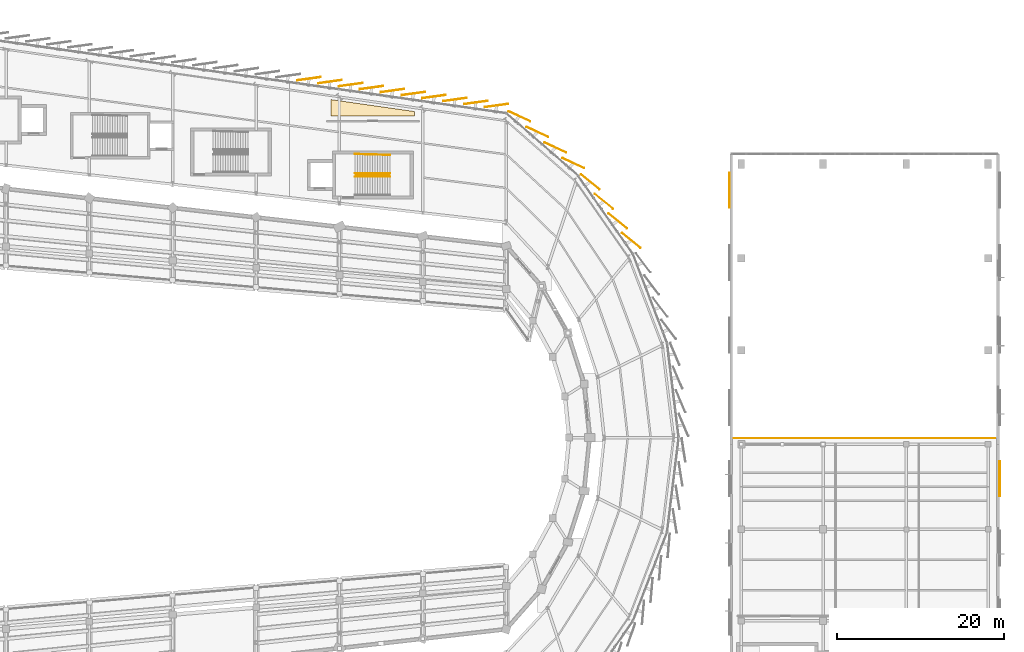
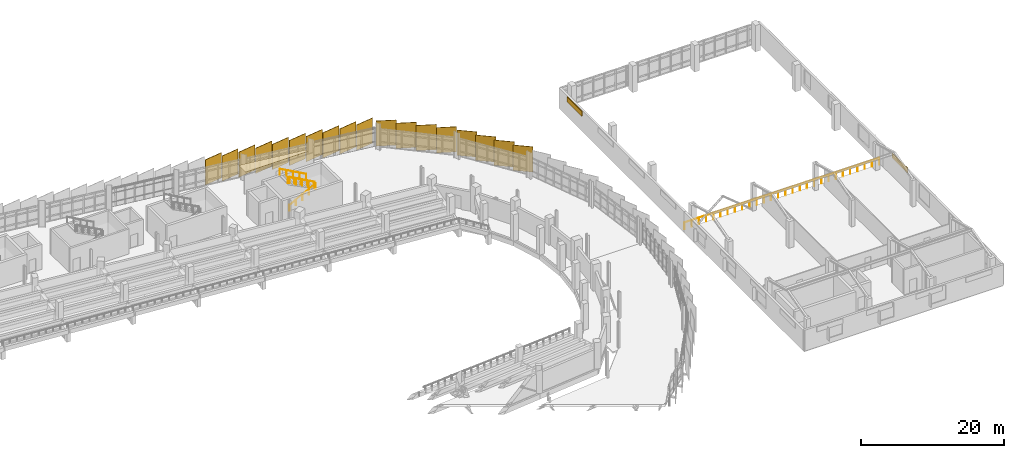
# One storey, part 119 of 120: 21 coverings, 5 railings.
"""IFC4 building model written with IfcOpenShell, lengths in metres."""

from ifc_helpers import new_model, si_unit, direction, frame, origin, origin_2d, place, context, subcontext, project, spatial, polyline, rectangle, circle, outline, extrude, material, layer, layer_set, type_object, element, save


model = new_model("IFC4")

# Units and contexts
model_context = context("Model", 3, precision=1e-05, world=origin(), true_north=direction((0.0, 1.0)))
body_context = subcontext(model_context, "Body", "Model", "MODEL_VIEW")
ifc_project = project(units=[si_unit("LENGTHUNIT", "METRE"), si_unit("AREAUNIT", "SQUARE_METRE"), si_unit("VOLUMEUNIT", "CUBIC_METRE"), si_unit("PLANEANGLEUNIT", "RADIAN"), si_unit("MASSUNIT", "GRAM", prefix="KILO")], contexts=[model_context])

# Site, building, storey
site_placement = place(None, origin())
site = spatial("IfcSite", under=ifc_project, at=site_placement, CompositionType="ELEMENT")
building_placement = place(site_placement, origin())
building = spatial("IfcBuilding", under=site, at=building_placement, Name="Sohan Crest Arena", CompositionType="ELEMENT")
storey_placement = place(building_placement, frame((0.0, 0.0, 13.5)))
storey = spatial("IfcBuildingStorey", under=building, at=storey_placement, Name="L03", CompositionType="ELEMENT", Elevation=13.5)

# Railings
ifc_material_1 = material(Name="Powder-coated wrought steel balustrade", Category="steel")
railing_type_1 = type_object("IfcRailingType", Name="ARC-GRD-01", PredefinedType="GUARDRAIL", material=ifc_material_1)
railing_1_placement = place(storey_placement, frame((154.030029296875, 109.5, 2.25)))
element("IfcRailing", 1, at=railing_1_placement, inside=storey, type_object=railing_type_1, Name="Stair well slot guard GRD-059", PredefinedType="GUARDRAIL", context=body_context, shape_type="SweptSolid", body=[
    extrude(circle(Radius=0.02392578125, at=origin_2d()), frame((0.0, 0.0, 1.076171875), z_axis=(-0.87313487534, 0.0, 0.487478706678), x_axis=(0.0, -1.0, 0.0)), (0.0, 0.0, 1.0), 4.615478515625),
    extrude(circle(Radius=0.02099609375, at=origin_2d()), origin(), (0.0, 0.0, 1.0), 1.052001953125),
    extrude(circle(Radius=0.02099609375, at=origin_2d()), frame((-1.007568359375, 0.0, 0.5625)), (0.0, 0.0, 1.0), 1.052001953125),
    extrude(circle(Radius=0.02099609375, at=origin_2d()), frame((-2.01513671875, 0.0, 1.125)), (0.0, 0.0, 1.0), 1.052001953125),
    extrude(circle(Radius=0.02099609375, at=origin_2d()), frame((-3.0224609375, 0.0, 1.6875)), (0.0, 0.0, 1.0), 1.052001953125),
    extrude(circle(Radius=0.02099609375, at=origin_2d()), frame((-4.030029296875, 0.0, 2.25)), (0.0, 0.0, 1.0), 1.052001953125),
])
ifc_material_2 = material(Name="Laminated glass and steel sightline guard", Category="steel")
railing_type_2 = type_object("IfcRailingType", Name="ARC-GRD-02", PredefinedType="GUARDRAIL", material=ifc_material_2)
railing_2_placement = place(storey_placement, frame((195.340087890625, 77.919921875, 0.0)))
element("IfcRailing", 2, at=railing_2_placement, inside=storey, type_object=railing_type_2, Name="Practice court gallery guard GRD-302", PredefinedType="GUARDRAIL", context=body_context, shape_type="SweptSolid", body=[
    extrude(circle(Radius=0.02392578125, at=origin_2d()), frame((0.0, 0.0, 1.1259765625), z_axis=(1.0, 0.0, 0.0), x_axis=(0.0, 1.0, 0.0)), (0.0, 0.0, 1.0), 31.31982421875),
    extrude(circle(Radius=0.02099609375, at=origin_2d()), origin(), (0.0, 0.0, 1.0), 1.101806640625),
    extrude(circle(Radius=0.02099609375, at=origin_2d()), frame((1.159912109375, 0.0, 0.0)), (0.0, 0.0, 1.0), 1.101806640625),
    extrude(circle(Radius=0.02099609375, at=origin_2d()), frame((2.320068359375, 0.0, 0.0)), (0.0, 0.0, 1.0), 1.101806640625),
    extrude(circle(Radius=0.02099609375, at=origin_2d()), frame((3.47998046875, 0.0, 0.0)), (0.0, 0.0, 1.0), 1.101806640625),
    extrude(circle(Radius=0.02099609375, at=origin_2d()), frame((4.639892578125, 0.0, 0.0)), (0.0, 0.0, 1.0), 1.101806640625),
    extrude(circle(Radius=0.02099609375, at=origin_2d()), frame((5.800048828125, 0.0, 0.0)), (0.0, 0.0, 1.0), 1.101806640625),
    extrude(circle(Radius=0.02099609375, at=origin_2d()), frame((6.9599609375, 0.0, 0.0)), (0.0, 0.0, 1.0), 1.101806640625),
    extrude(circle(Radius=0.02099609375, at=origin_2d()), frame((8.119873046875, 0.0, 0.0)), (0.0, 0.0, 1.0), 1.101806640625),
    extrude(circle(Radius=0.02099609375, at=origin_2d()), frame((9.280029296875, 0.0, 0.0)), (0.0, 0.0, 1.0), 1.101806640625),
    extrude(circle(Radius=0.02099609375, at=origin_2d()), frame((10.43994140625, 0.0, 0.0)), (0.0, 0.0, 1.0), 1.101806640625),
    extrude(circle(Radius=0.02099609375, at=origin_2d()), frame((11.599853515625, 0.0, 0.0)), (0.0, 0.0, 1.0), 1.101806640625),
    extrude(circle(Radius=0.02099609375, at=origin_2d()), frame((12.760009765625, 0.0, 0.0)), (0.0, 0.0, 1.0), 1.101806640625),
    extrude(circle(Radius=0.02099609375, at=origin_2d()), frame((13.919921875, 0.0, 0.0)), (0.0, 0.0, 1.0), 1.101806640625),
    extrude(circle(Radius=0.02099609375, at=origin_2d()), frame((15.079833984375, 0.0, 0.0)), (0.0, 0.0, 1.0), 1.101806640625),
    extrude(circle(Radius=0.02099609375, at=origin_2d()), frame((16.239990234375, 0.0, 0.0)), (0.0, 0.0, 1.0), 1.101806640625),
    extrude(circle(Radius=0.02099609375, at=origin_2d()), frame((17.39990234375, 0.0, 0.0)), (0.0, 0.0, 1.0), 1.101806640625),
    extrude(circle(Radius=0.02099609375, at=origin_2d()), frame((18.559814453125, 0.0, 0.0)), (0.0, 0.0, 1.0), 1.101806640625),
    extrude(circle(Radius=0.02099609375, at=origin_2d()), frame((19.719970703125, 0.0, 0.0)), (0.0, 0.0, 1.0), 1.101806640625),
    extrude(circle(Radius=0.02099609375, at=origin_2d()), frame((20.8798828125, 0.0, 0.0)), (0.0, 0.0, 1.0), 1.101806640625),
    extrude(circle(Radius=0.02099609375, at=origin_2d()), frame((22.039794921875, 0.0, 0.0)), (0.0, 0.0, 1.0), 1.101806640625),
    extrude(circle(Radius=0.02099609375, at=origin_2d()), frame((23.199951171875, 0.0, 0.0)), (0.0, 0.0, 1.0), 1.101806640625),
    extrude(circle(Radius=0.02099609375, at=origin_2d()), frame((24.35986328125, 0.0, 0.0)), (0.0, 0.0, 1.0), 1.101806640625),
    extrude(circle(Radius=0.02099609375, at=origin_2d()), frame((25.519775390625, 0.0, 0.0)), (0.0, 0.0, 1.0), 1.101806640625),
    extrude(circle(Radius=0.02099609375, at=origin_2d()), frame((26.679931640625, 0.0, 0.0)), (0.0, 0.0, 1.0), 1.101806640625),
    extrude(circle(Radius=0.02099609375, at=origin_2d()), frame((27.83984375, 0.0, 0.0)), (0.0, 0.0, 1.0), 1.101806640625),
    extrude(circle(Radius=0.02099609375, at=origin_2d()), frame((28.999755859375, 0.0, 0.0)), (0.0, 0.0, 1.0), 1.101806640625),
    extrude(circle(Radius=0.02099609375, at=origin_2d()), frame((30.159912109375, 0.0, 0.0)), (0.0, 0.0, 1.0), 1.101806640625),
    extrude(circle(Radius=0.02099609375, at=origin_2d()), frame((31.31982421875, 0.0, 0.0)), (0.0, 0.0, 1.0), 1.101806640625),
])
ifc_material_3 = material(Name="Brushed stainless steel stair handrail", Category="steel")
railing_type_3 = type_object("IfcRailingType", Name="ARC-HR-01", PredefinedType="HANDRAIL", material=ifc_material_3)
railing_3_placement = place(storey_placement, frame((149.85009765625, 109.2900390625, 0.0)))
element("IfcRailing", 3, at=railing_3_placement, inside=storey, type_object=railing_type_3, Name="Stair pitch handrail HR-198", PredefinedType="HANDRAIL", context=body_context, shape_type="SweptSolid", body=[
    extrude(circle(Radius=0.02392578125, at=origin_2d()), frame((0.0, 0.0, 0.97607421875), z_axis=(0.881477684796, 0.0, 0.472225678258), x_axis=(0.0, 1.0, 0.0)), (0.0, 0.0, 1.0), 4.7646484375),
    extrude(circle(Radius=0.02099609375, at=origin_2d()), origin(), (0.0, 0.0, 1.0), 0.951904296875),
    extrude(circle(Radius=0.02099609375, at=origin_2d()), frame((1.050048828125, 0.0, 0.5625)), (0.0, 0.0, 1.0), 0.951904296875),
    extrude(circle(Radius=0.02099609375, at=origin_2d()), frame((2.10009765625, 0.0, 1.125)), (0.0, 0.0, 1.0), 0.951904296875),
    extrude(circle(Radius=0.02099609375, at=origin_2d()), frame((3.14990234375, 0.0, 1.6875)), (0.0, 0.0, 1.0), 0.951904296875),
    extrude(circle(Radius=0.02099609375, at=origin_2d()), frame((4.199951171875, 0.0, 2.25)), (0.0, 0.0, 1.0), 0.951904296875),
])
railing_4_placement = place(storey_placement, frame((154.050048828125, 109.7099609375, 2.25)))
element("IfcRailing", 4, at=railing_4_placement, inside=storey, type_object=railing_type_3, Name="Stair pitch handrail HR-199", PredefinedType="HANDRAIL", context=body_context, shape_type="SweptSolid", body=[
    extrude(circle(Radius=0.02392578125, at=origin_2d()), frame((0.0, 0.0, 0.97607421875), z_axis=(-0.881477684796, 0.0, 0.472225678258), x_axis=(0.0, -1.0, 0.0)), (0.0, 0.0, 1.0), 4.7646484375),
    extrude(circle(Radius=0.02099609375, at=origin_2d()), origin(), (0.0, 0.0, 1.0), 0.951904296875),
    extrude(circle(Radius=0.02099609375, at=origin_2d()), frame((-1.050048828125, 0.0, 0.5625)), (0.0, 0.0, 1.0), 0.951904296875),
    extrude(circle(Radius=0.02099609375, at=origin_2d()), frame((-2.10009765625, 0.0, 1.125)), (0.0, 0.0, 1.0), 0.951904296875),
    extrude(circle(Radius=0.02099609375, at=origin_2d()), frame((-3.14990234375, 0.0, 1.6875)), (0.0, 0.0, 1.0), 0.951904296875),
    extrude(circle(Radius=0.02099609375, at=origin_2d()), frame((-4.199951171875, 0.0, 2.25)), (0.0, 0.0, 1.0), 0.951904296875),
])
railing_5_placement = place(storey_placement, frame((154.050048828125, 111.889892578125, 2.25)))
element("IfcRailing", 5, at=railing_5_placement, inside=storey, type_object=railing_type_3, Name="Stair pitch handrail HR-200", PredefinedType="HANDRAIL", context=body_context, shape_type="SweptSolid", body=[
    extrude(circle(Radius=0.02392578125, at=origin_2d()), frame((0.0, 0.0, 0.97607421875), z_axis=(-0.881197710057, 0.025201957411, 0.472075690047), x_axis=(-0.028587973606, -0.999591280357, 0.0)), (0.0, 0.0, 1.0), 4.76611328125),
    extrude(circle(Radius=0.02099609375, at=origin_2d()), origin(), (0.0, 0.0, 1.0), 0.951904296875),
    extrude(circle(Radius=0.02099609375, at=origin_2d()), frame((-1.050048828125, 0.030029296875, 0.5625)), (0.0, 0.0, 1.0), 0.951904296875),
    extrude(circle(Radius=0.02099609375, at=origin_2d()), frame((-2.10009765625, 0.06005859375, 1.125)), (0.0, 0.0, 1.0), 0.951904296875),
    extrude(circle(Radius=0.02099609375, at=origin_2d()), frame((-3.14990234375, 0.090087890625, 1.6875)), (0.0, 0.0, 1.0), 0.951904296875),
    extrude(circle(Radius=0.02099609375, at=origin_2d()), frame((-4.199951171875, 0.1201171875, 2.25)), (0.0, 0.0, 1.0), 0.951904296875),
])

# Coverings
ifc_material_4 = material(Name="Honed dark basalt stone cladding", Category="masonry")
ifc_layer_1 = layer(ifc_material_4, 0.0849609375, Name="Honed dark basalt stone cladding")
ifc_layer_set_1 = layer_set([ifc_layer_1], Name="Honed dark basalt stone cladding")
covering_type_1 = type_object("IfcCoveringType", Name="COV-BAS", PredefinedType="CLADDING", material=ifc_layer_set_1)
for number, where, z_axis, x_axis, name in (
    (6, (227.20703125, 73.050048828125, 2.625), (0.0, 0.0, 1.0), (0.0, 1.0, 0.0), "Dark basalt facade panel DB-0844"),
    (7, (194.79296875, 107.64990234375, 2.625), (0.0, 0.0, 1.0), (0.0, -1.0, 0.0), "Dark basalt facade panel DB-0849"),
):
    element("IfcCovering", number, at=place(storey_placement, frame(where, z_axis=z_axis, x_axis=x_axis)), inside=storey, type_object=covering_type_1, Name=name, PredefinedType="CLADDING", context=body_context, shape_type="SweptSolid", body=[
        extrude(rectangle(XDim=4.199951171875, YDim=0.0849609375, at=origin_2d()), origin(), (0.0, 0.0, 1.0), 0.85009765625),
    ])
ifc_material_5 = material(Name="Acoustic mineral-fibre ceiling tile")
ifc_layer_2 = layer(ifc_material_5, 0.044921875, Name="Acoustic mineral-fibre ceiling tile")
ifc_layer_set_2 = layer_set([ifc_layer_2], Name="Acoustic mineral-fibre ceiling tile")
covering_type_2 = type_object("IfcCoveringType", Name="COV-CL1", PredefinedType="CEILING", material=ifc_layer_set_2)
covering_placement = place(storey_placement, frame((0.0, 0.0, 3.10009765625)))
element("IfcCovering", 8, at=covering_placement, inside=storey, type_object=covering_type_2, Name="Suspended acoustic ceiling CL-003", PredefinedType="CEILING", context=body_context, shape_type="SweptSolid", body=[
    extrude(outline(polyline([(147.80908203125, 118.4208984375), (157.0, 117.10791015625), (157.0, 116.60009765625), (147.0, 116.60009765625), (147.0, 118.535888671875), (147.80908203125, 118.4208984375)])), origin(), (0.0, 0.0, 1.0), 0.0498046875),
])
ifc_material_6 = material(Name="Glazed ivory trencadis ceramic cladding", Category="masonry")
ifc_layer_3 = layer(ifc_material_6, 0.06494140625, Name="Glazed ivory trencadis ceramic cladding")
ifc_layer_set_3 = layer_set([ifc_layer_3], Name="Glazed ivory trencadis ceramic cladding")
covering_type_3 = type_object("IfcCoveringType", Name="COV-SC-IV", PredefinedType="CLADDING", material=ifc_layer_set_3)
for number, where, z_axis, x_axis, name in (
    (9, (181.363037109375, 103.98193359375, -0.2001953125), (0.0, 0.0, 1.0), (-0.777145961457, 0.62932039105, 0.0), "Rotated trencadis ceramic scale panel SC-0364"),
    (10, (179.721923828125, 106.323974609375, -0.2001953125), (0.0, 0.0, 1.0), (-0.777145961457, 0.62932039105, 0.0), "Rotated trencadis ceramic scale panel SC-0365"),
    (11, (178.0810546875, 108.6650390625, -0.2001953125), (0.0, 0.0, 1.0), (-0.777145961457, 0.62932039105, 0.0), "Rotated trencadis ceramic scale panel SC-0366"),
    (12, (176.056884765625, 110.910888671875, -0.2001953125), (0.0, 0.0, 1.0), (-0.906307787037, 0.422618261741, 0.0), "Rotated trencadis ceramic scale panel SC-0367"),
    (13, (173.89697265625, 112.785888671875, -0.2001953125), (0.0, 0.0, 1.0), (-0.906307787037, 0.422618261741, 0.0), "Rotated trencadis ceramic scale panel SC-0368"),
    (14, (171.738037109375, 114.660888671875, -0.2001953125), (0.0, 0.0, 1.0), (-0.906307787037, 0.422618261741, 0.0), "Rotated trencadis ceramic scale panel SC-0369"),
    (15, (169.577880859375, 116.535888671875, -0.2001953125), (0.0, 0.0, 1.0), (-0.906307787037, 0.422618261741, 0.0), "Rotated trencadis ceramic scale panel SC-0370"),
    (16, (166.85791015625, 117.8310546875, -0.2001953125), (0.0, 0.0, 1.0), (-0.990509463238, -0.137444546037, 0.0), "Rotated trencadis ceramic scale panel SC-0371"),
    (17, (164.35791015625, 118.18798828125, -0.2001953125), (0.0, 0.0, 1.0), (-0.990509463238, -0.137444546037, 0.0), "Rotated trencadis ceramic scale panel SC-0372"),
    (18, (161.85791015625, 118.544921875, -0.2001953125), (0.0, 0.0, 1.0), (-0.990509463238, -0.137444546037, 0.0), "Rotated trencadis ceramic scale panel SC-0373"),
    (19, (156.85693359375, 119.260009765625, -0.2001953125), (0.0, 0.0, 1.0), (-0.990509463238, -0.137444546037, 0.0), "Rotated trencadis ceramic scale panel SC-0375"),
    (20, (154.35693359375, 119.616943359375, -0.2001953125), (0.0, 0.0, 1.0), (-0.990509463238, -0.137444546037, 0.0), "Rotated trencadis ceramic scale panel SC-0376"),
    (21, (149.35693359375, 120.3310546875, -0.2001953125), (0.0, 0.0, 1.0), (-0.990509463238, -0.137444546037, 0.0), "Rotated trencadis ceramic scale panel SC-0378"),
    (22, (146.85791015625, 120.68798828125, -0.2001953125), (0.0, 0.0, 1.0), (-0.990509463238, -0.137444546037, 0.0), "Rotated trencadis ceramic scale panel SC-0379"),
):
    element("IfcCovering", number, at=place(storey_placement, frame(where, z_axis=z_axis, x_axis=x_axis)), inside=storey, type_object=covering_type_3, Name=name, PredefinedType="CLADDING", context=body_context, shape_type="SweptSolid", body=[
        extrude(rectangle(XDim=2.85009765625, YDim=0.06494140625, at=origin_2d()), origin(), (0.0, 0.0, 1.0), 4.300048828125),
    ])
ifc_material_7 = material(Name="Glazed terracotta trencadis ceramic cladding", Category="masonry")
ifc_layer_4 = layer(ifc_material_7, 0.074951171875, Name="Glazed terracotta trencadis ceramic cladding")
ifc_layer_set_4 = layer_set([ifc_layer_4], Name="Glazed terracotta trencadis ceramic cladding")
covering_type_4 = type_object("IfcCoveringType", Name="COV-SC-TC", PredefinedType="CLADDING", material=ifc_layer_set_4)
for number, where, z_axis, x_axis, name in (
    (23, (183.0048828125, 101.639892578125, -0.2001953125), (0.0, 0.0, 1.0), (-0.777145961457, 0.62932039105, 0.0), "Rotated trencadis ceramic scale panel SC-0363"),
    (24, (159.35791015625, 118.903076171875, -0.2001953125), (0.0, 0.0, 1.0), (-0.990509463238, -0.137444546037, 0.0), "Rotated trencadis ceramic scale panel SC-0374"),
    (25, (151.85693359375, 119.97412109375, -0.2001953125), (0.0, 0.0, 1.0), (-0.990509463238, -0.137444546037, 0.0), "Rotated trencadis ceramic scale panel SC-0377"),
    (26, (144.35791015625, 121.044921875, -0.2001953125), (0.0, 0.0, 1.0), (-0.990509463238, -0.137444546037, 0.0), "Rotated trencadis ceramic scale panel SC-0380"),
):
    element("IfcCovering", number, at=place(storey_placement, frame(where, z_axis=z_axis, x_axis=x_axis)), inside=storey, type_object=covering_type_4, Name=name, PredefinedType="CLADDING", context=body_context, shape_type="SweptSolid", body=[
        extrude(rectangle(XDim=2.85009765625, YDim=0.074951171875, at=origin_2d()), origin(), (0.0, 0.0, 1.0), 4.300048828125),
    ])

save(model, "model.ifc")
